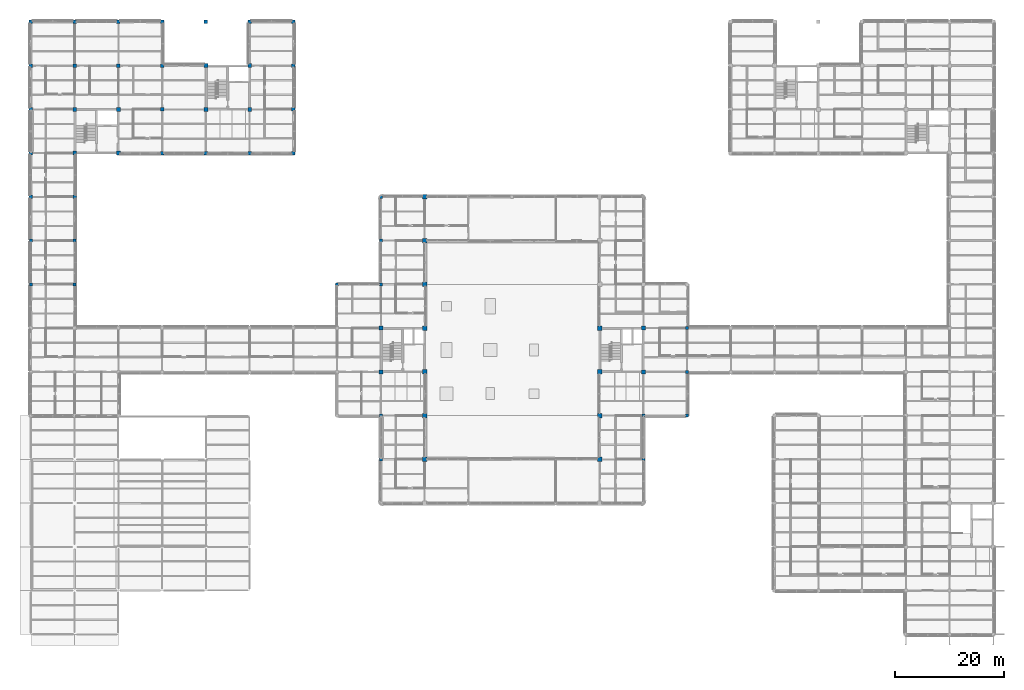
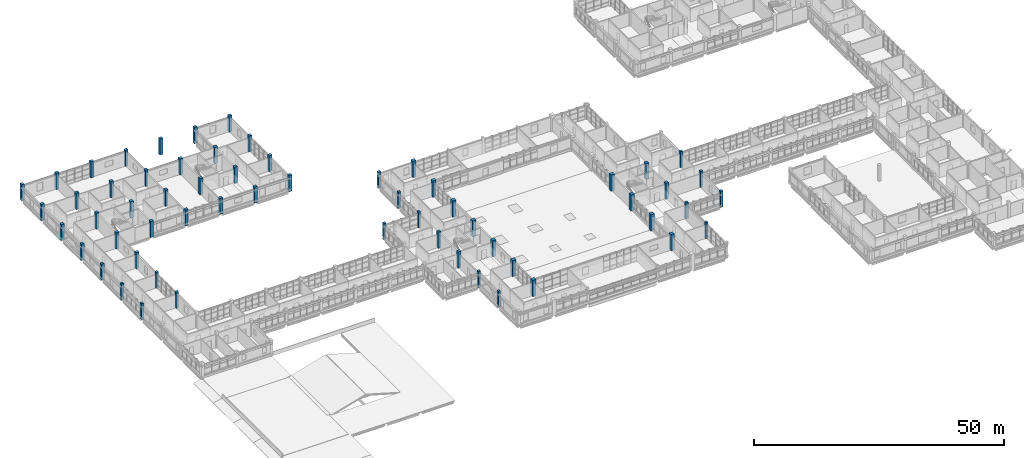
# One storey, part 3 of 107: 60 columns.
"""IFC4 building model written with IfcOpenShell, lengths in metres."""

from ifc_helpers import new_model, si_unit, derived_unit, direction, frame, origin, origin_2d, place, context, subcontext, project, spatial, rectangle, extrude, material, material_profile, profile_set, type_object, element, save


model = new_model("IFC4")

# Units and contexts
model_context = context("Model", 3, precision=1e-05, world=origin(), true_north=direction((0.0, 1.0)))
body_context = subcontext(model_context, "Body", "Model", "MODEL_VIEW")
ifc_project = project(units=[si_unit("LENGTHUNIT", "METRE"), si_unit("AREAUNIT", "SQUARE_METRE"), si_unit("VOLUMEUNIT", "CUBIC_METRE"), si_unit("PLANEANGLEUNIT", "RADIAN"), si_unit("MASSUNIT", "GRAM", prefix="KILO"), derived_unit("THERMALTRANSMITTANCEUNIT", [(si_unit("MASSUNIT", "GRAM", prefix="KILO"), 1), (si_unit("TIMEUNIT", "SECOND"), -3), (si_unit("THERMODYNAMICTEMPERATUREUNIT", "KELVIN"), -1)])], contexts=[model_context])

# Site, building, storey
site_placement = place(None, origin())
site = spatial("IfcSite", under=ifc_project, at=site_placement, CompositionType="ELEMENT")
building_placement = place(site_placement, origin())
building = spatial("IfcBuilding", under=site, at=building_placement, Name="Veyamyaing Civic Hall", CompositionType="ELEMENT")
storey_placement = place(building_placement, frame((0.0, 0.0, 13.860107421875)))
storey = spatial("IfcBuildingStorey", under=building, at=storey_placement, Name="L03", CompositionType="ELEMENT", Elevation=13.860107421875)

# Columns
ifc_material = material(Name="Concrete C45/55", Category="concrete")
ifc_material_profile_1 = material_profile(ifc_material, rectangle(XDim=0.800048828125, YDim=0.800048828125, at=origin_2d()), Name="RC-COL-800X800")
ifc_profile_set_1 = profile_set([ifc_material_profile_1], Name="Concrete C45/55")
column_type_1 = type_object("IfcColumnType", Name="C-02", PredefinedType="COLUMN", material=ifc_profile_set_1)
for number, where, z_axis, x_axis, name in (
    (1, (72.0, 32.0, 0.0), (0.0, 0.0, 1.0), (1.0, 0.0, 0.0), "Column C-02 10-E L03"),
    (2, (72.0, 40.0, 0.0), (0.0, 0.0, 1.0), (1.0, 0.0, 0.0), "Column C-02 10-F L03"),
    (3, (72.0, 48.0, 0.0), (0.0, 0.0, 1.0), (1.0, 0.0, 0.0), "Column C-02 10-G L03"),
    (4, (72.0, 56.0, 0.0), (0.0, 0.0, 1.0), (1.0, 0.0, 0.0), "Column C-02 10-H L03"),
    (5, (72.0, 64.0, 0.0), (0.0, 0.0, 1.0), (1.0, 0.0, 0.0), "Column C-02 10-J L03"),
    (6, (72.0, 72.0, 0.0), (0.0, 0.0, 1.0), (1.0, 0.0, 0.0), "Column C-02 10-K L03"),
    (7, (72.0, 80.0, 0.0), (0.0, 0.0, 1.0), (1.0, 0.0, 0.0), "Column C-02 10-L L03"),
    (8, (104.0, 32.0, 0.0), (0.0, 0.0, 1.0), (1.0, 0.0, 0.0), "Column C-02 14-E L03"),
    (9, (104.0, 40.0, 0.0), (0.0, 0.0, 1.0), (1.0, 0.0, 0.0), "Column C-02 14-F L03"),
    (10, (104.0, 48.0, 0.0), (0.0, 0.0, 1.0), (1.0, 0.0, 0.0), "Column C-02 14-G L03"),
    (11, (104.0, 56.0, 0.0), (0.0, 0.0, 1.0), (1.0, 0.0, 0.0), "Column C-02 14-H L03"),
):
    element("IfcColumn", number, at=place(storey_placement, frame(where, z_axis=z_axis, x_axis=x_axis)), inside=storey, type_object=column_type_1, Name=name, PredefinedType="COLUMN", context=body_context, shape_type="SweptSolid", body=[
        extrude(rectangle(XDim=0.800048828125, YDim=0.800048828125, at=origin_2d()), origin(), (0.0, 0.0, 1.0), 3.9599609375),
    ])
ifc_material_profile_2 = material_profile(ifc_material, rectangle(XDim=0.699951171875, YDim=0.699951171875, at=origin_2d()), Name="RC-COL-700X700")
ifc_profile_set_2 = profile_set([ifc_material_profile_2], Name="Concrete C45/55")
column_type_2 = type_object("IfcColumnType", Name="C-04", PredefinedType="COLUMN", material=ifc_profile_set_2)
for number, where, z_axis, x_axis, name in (
    (12, (8.0, 88.0, 0.0), (0.0, 0.0, 1.0), (1.0, 0.0, 0.0), "Column C-04 2-M L03"),
    (13, (8.0, 96.0, 0.0), (0.0, 0.0, 1.0), (1.0, 0.0, 0.0), "Column C-04 2-N L03"),
    (14, (16.0, 88.0, 0.0), (0.0, 0.0, 1.0), (1.0, 0.0, 0.0), "Column C-04 3-M L03"),
    (15, (16.0, 96.0, 0.0), (0.0, 0.0, 1.0), (1.0, 0.0, 0.0), "Column C-04 3-N L03"),
    (16, (32.0, 96.0, 0.0), (0.0, 0.0, 1.0), (1.0, 0.0, 0.0), "Column C-04 5-N L03"),
    (17, (32.0, 104.0, 0.0), (0.0, 0.0, 1.0), (1.0, 0.0, 0.0), "Column C-04 5-P L03"),
    (18, (40.0, 96.0, 0.0), (0.0, 0.0, 1.0), (1.0, 0.0, 0.0), "Column C-04 6-N L03"),
    (19, (40.0, 104.0, 0.0), (0.0, 0.0, 1.0), (1.0, 0.0, 0.0), "Column C-04 6-P L03"),
    (20, (64.0, 48.0, 0.0), (0.0, 0.0, 1.0), (1.0, 0.0, 0.0), "Column C-04 9-G L03"),
    (21, (64.0, 56.0, 0.0), (0.0, 0.0, 1.0), (1.0, 0.0, 0.0), "Column C-04 9-H L03"),
    (22, (112.0, 48.0, 0.0), (0.0, 0.0, 1.0), (1.0, 0.0, 0.0), "Column C-04 15-G L03"),
    (23, (112.0, 56.0, 0.0), (0.0, 0.0, 1.0), (1.0, 0.0, 0.0), "Column C-04 15-H L03"),
):
    element("IfcColumn", number, at=place(storey_placement, frame(where, z_axis=z_axis, x_axis=x_axis)), inside=storey, type_object=column_type_2, Name=name, PredefinedType="COLUMN", context=body_context, shape_type="SweptSolid", body=[
        extrude(rectangle(XDim=0.699951171875, YDim=0.699951171875, at=origin_2d()), origin(), (0.0, 0.0, 1.0), 3.9599609375),
    ])
ifc_material_profile_3 = material_profile(ifc_material, rectangle(XDim=0.64990234375, YDim=0.64990234375, at=origin_2d()), Name="RC-COL-650X650")
ifc_profile_set_3 = profile_set([ifc_material_profile_3], Name="Concrete C45/55")
column_type_3 = type_object("IfcColumnType", Name="C-05", PredefinedType="COLUMN", material=ifc_profile_set_3)
for number, where, z_axis, x_axis, name in (
    (24, (0.0, 80.0, 0.0), (0.0, 0.0, 1.0), (1.0, 0.0, 0.0), "Column C-05 1-L L03"),
    (25, (0.0, 88.0, 0.0), (0.0, 0.0, 1.0), (1.0, 0.0, 0.0), "Column C-05 1-M L03"),
    (26, (0.0, 96.0, 0.0), (0.0, 0.0, 1.0), (1.0, 0.0, 0.0), "Column C-05 1-N L03"),
    (27, (0.0, 104.0, 0.0), (0.0, 0.0, 1.0), (1.0, 0.0, 0.0), "Column C-05 1-P L03"),
    (28, (0.0, 112.0, 0.0), (0.0, 0.0, 1.0), (1.0, 0.0, 0.0), "Column C-05 1-Q L03"),
    (29, (8.0, 80.0, 0.0), (0.0, 0.0, 1.0), (1.0, 0.0, 0.0), "Column C-05 2-L L03"),
    (30, (8.0, 104.0, 0.0), (0.0, 0.0, 1.0), (1.0, 0.0, 0.0), "Column C-05 2-P L03"),
    (31, (8.0, 112.0, 0.0), (0.0, 0.0, 1.0), (1.0, 0.0, 0.0), "Column C-05 2-Q L03"),
    (32, (16.0, 104.0, 0.0), (0.0, 0.0, 1.0), (1.0, 0.0, 0.0), "Column C-05 3-P L03"),
    (33, (16.0, 112.0, 0.0), (0.0, 0.0, 1.0), (1.0, 0.0, 0.0), "Column C-05 3-Q L03"),
    (34, (24.0, 88.0, 0.0), (0.0, 0.0, 1.0), (1.0, 0.0, 0.0), "Column C-05 4-M L03"),
    (35, (24.0, 96.0, 0.0), (0.0, 0.0, 1.0), (1.0, 0.0, 0.0), "Column C-05 4-N L03"),
    (36, (24.0, 104.0, 0.0), (0.0, 0.0, 1.0), (1.0, 0.0, 0.0), "Column C-05 4-P L03"),
    (37, (24.0, 112.0, 0.0), (0.0, 0.0, 1.0), (1.0, 0.0, 0.0), "Column C-05 4-Q L03"),
    (38, (32.0, 88.0, 0.0), (0.0, 0.0, 1.0), (1.0, 0.0, 0.0), "Column C-05 5-M L03"),
    (39, (32.0, 112.0, 0.0), (0.0, 0.0, 1.0), (1.0, 0.0, 0.0), "Column C-05 5-Q L03"),
    (40, (40.0, 88.0, 0.0), (0.0, 0.0, 1.0), (1.0, 0.0, 0.0), "Column C-05 6-M L03"),
    (41, (40.0, 112.0, 0.0), (0.0, 0.0, 1.0), (1.0, 0.0, 0.0), "Column C-05 6-Q L03"),
    (42, (48.0, 88.0, 0.0), (0.0, 0.0, 1.0), (1.0, 0.0, 0.0), "Column C-05 7-M L03"),
    (43, (48.0, 96.0, 0.0), (0.0, 0.0, 1.0), (1.0, 0.0, 0.0), "Column C-05 7-N L03"),
    (44, (48.0, 104.0, 0.0), (0.0, 0.0, 1.0), (1.0, 0.0, 0.0), "Column C-05 7-P L03"),
    (45, (48.0, 112.0, 0.0), (0.0, 0.0, 1.0), (1.0, 0.0, 0.0), "Column C-05 7-Q L03"),
):
    element("IfcColumn", number, at=place(storey_placement, frame(where, z_axis=z_axis, x_axis=x_axis)), inside=storey, type_object=column_type_3, Name=name, PredefinedType="COLUMN", context=body_context, shape_type="SweptSolid", body=[
        extrude(rectangle(XDim=0.64990234375, YDim=0.64990234375, at=origin_2d()), origin(), (0.0, 0.0, 1.0), 3.9599609375),
    ])
ifc_material_profile_4 = material_profile(ifc_material, rectangle(XDim=0.550048828125, YDim=0.550048828125, at=origin_2d()), Name="RC-COL-550X550")
ifc_profile_set_4 = profile_set([ifc_material_profile_4], Name="Concrete C45/55")
column_type_4 = type_object("IfcColumnType", Name="C-07", PredefinedType="COLUMN", material=ifc_profile_set_4)
for number, where, z_axis, x_axis, name in (
    (46, (0.0, 64.0, 0.0), (0.0, 0.0, 1.0), (1.0, 0.0, 0.0), "Column C-07 1-J L03"),
    (47, (0.0, 72.0, 0.0), (0.0, 0.0, 1.0), (1.0, 0.0, 0.0), "Column C-07 1-K L03"),
    (48, (8.0, 64.0, 0.0), (0.0, 0.0, 1.0), (1.0, 0.0, 0.0), "Column C-07 2-J L03"),
    (49, (8.0, 72.0, 0.0), (0.0, 0.0, 1.0), (1.0, 0.0, 0.0), "Column C-07 2-K L03"),
    (50, (56.0, 64.0, 0.0), (0.0, 0.0, 1.0), (1.0, 0.0, 0.0), "Column C-07 8-J L03"),
    (51, (64.0, 32.0, 0.0), (0.0, 0.0, 1.0), (1.0, 0.0, 0.0), "Column C-07 9-E L03"),
    (52, (64.0, 40.0, 0.0), (0.0, 0.0, 1.0), (1.0, 0.0, 0.0), "Column C-07 9-F L03"),
    (53, (64.0, 64.0, 0.0), (0.0, 0.0, 1.0), (1.0, 0.0, 0.0), "Column C-07 9-J L03"),
    (54, (64.0, 72.0, 0.0), (0.0, 0.0, 1.0), (1.0, 0.0, 0.0), "Column C-07 9-K L03"),
    (55, (64.0, 80.0, 0.0), (0.0, 0.0, 1.0), (1.0, 0.0, 0.0), "Column C-07 9-L L03"),
    (56, (112.0, 32.0, 0.0), (0.0, 0.0, 1.0), (1.0, 0.0, 0.0), "Column C-07 15-E L03"),
    (57, (112.0, 40.0, 0.0), (0.0, 0.0, 1.0), (1.0, 0.0, 0.0), "Column C-07 15-F L03"),
    (58, (120.0, 40.0, 0.0), (0.0, 0.0, 1.0), (1.0, 0.0, 0.0), "Column C-07 16-F L03"),
    (59, (120.0, 48.0, 0.0), (0.0, 0.0, 1.0), (1.0, 0.0, 0.0), "Column C-07 16-G L03"),
    (60, (120.0, 56.0, 0.0), (0.0, 0.0, 1.0), (1.0, 0.0, 0.0), "Column C-07 16-H L03"),
):
    element("IfcColumn", number, at=place(storey_placement, frame(where, z_axis=z_axis, x_axis=x_axis)), inside=storey, type_object=column_type_4, Name=name, PredefinedType="COLUMN", context=body_context, shape_type="SweptSolid", body=[
        extrude(rectangle(XDim=0.550048828125, YDim=0.550048828125, at=origin_2d()), origin(), (0.0, 0.0, 1.0), 3.9599609375),
    ])

save(model, "model.ifc")
